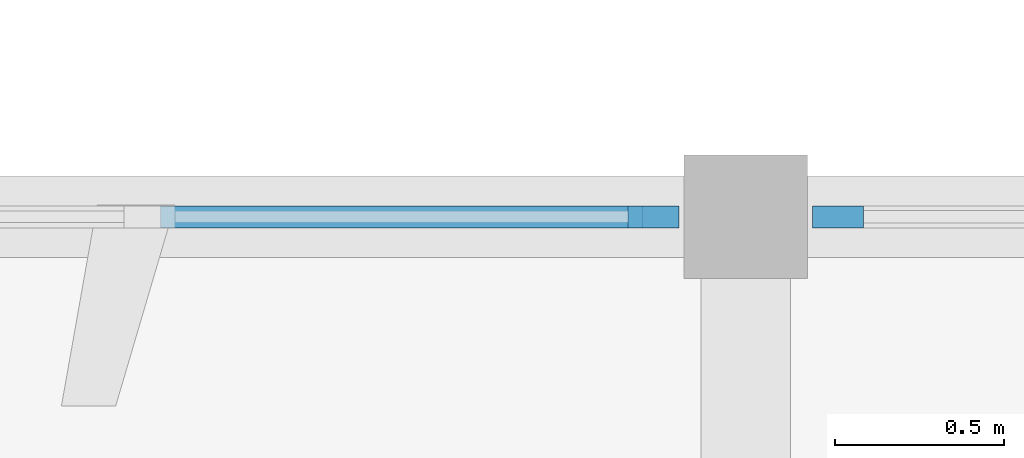
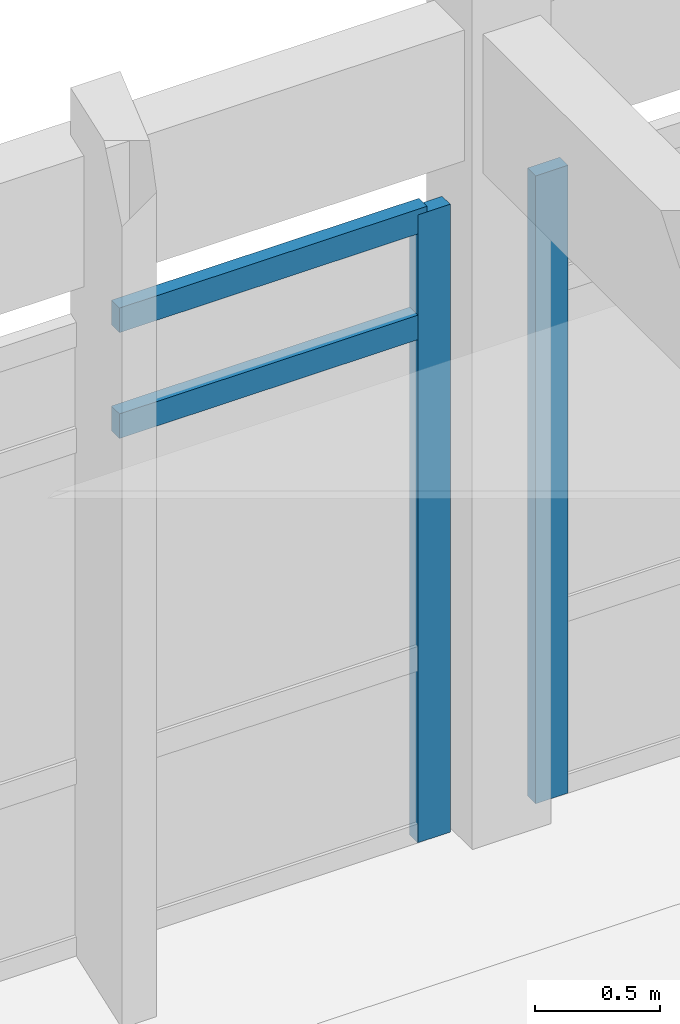
# One storey, part 6 of 18: 4 members, 2 elements without a shape of their own.
"""IFC4 building model written with IfcOpenShell, lengths in metres."""

from ifc_helpers import new_model, si_unit, direction, frame, origin, origin_2d, place, context, subcontext, project, spatial, rectangle, extrude, material, layer, layer_set, material_profile, profile_set, type_object, element, aggregate, save


model = new_model("IFC4")

# Units and contexts
model_context = context("Model", 3, precision=1e-05, world=origin(), true_north=direction((0.0, 1.0)))
body_context = subcontext(model_context, "Body", "Model", "MODEL_VIEW")
ifc_project = project(units=[si_unit("LENGTHUNIT", "METRE"), si_unit("AREAUNIT", "SQUARE_METRE"), si_unit("VOLUMEUNIT", "CUBIC_METRE"), si_unit("PLANEANGLEUNIT", "RADIAN"), si_unit("MASSUNIT", "GRAM", prefix="KILO")], contexts=[model_context])

# Site, building, storey
site_placement = place(None, origin())
site = spatial("IfcSite", under=ifc_project, at=site_placement, CompositionType="ELEMENT")
building_placement = place(site_placement, origin())
building = spatial("IfcBuilding", under=site, at=building_placement, Name="Kolvemor Railside Polytechnic", CompositionType="ELEMENT")
storey_placement = place(building_placement, frame((0.0, 0.0, 18.60009765625)))
storey = spatial("IfcBuildingStorey", under=building, at=storey_placement, Name="L04", CompositionType="ELEMENT", Elevation=18.60009765625)

# Curtain wall, member
ifc_material_1 = material(Name="Anodised marine aluminium and laminated low-E glass", Category="aluminium")
ifc_layer = layer(ifc_material_1, 0.179931640625, Name="CW-UNIT-STD")
ifc_layer_set = layer_set([ifc_layer], Name="Anodised marine aluminium and laminated low-E glass")
curtain_wall_type = type_object("IfcCurtainWallType", Name="CW-UNIT-STD", PredefinedType="USERDEFINED", material=ifc_layer_set)
curtain_wall_1_placement = place(storey_placement, origin())
curtain_wall_1 = element("IfcCurtainWall", 1, at=curtain_wall_1_placement, inside=storey, type_object=curtain_wall_type, Name="Curtain Wall L04-132", ObjectType="UNITISED CURTAIN WALL", PredefinedType="USERDEFINED")
ifc_material_2 = material(Name="Anodised marine aluminium 6063-T6", Category="aluminium")
ifc_material_profile_1 = material_profile(ifc_material_2, rectangle(XDim=0.06494140625, YDim=0.14990234375, at=origin_2d()), Name="CW-MUL-65x150")
ifc_profile_set_1 = profile_set([ifc_material_profile_1], Name="Anodised marine aluminium 6063-T6")
member_type_1 = type_object("IfcMemberType", Name="CWM-65x150", PredefinedType="MULLION", material=ifc_profile_set_1)
member_1_placement = place(storey_placement, frame((86.12744140625, 38.39990234375, 0.0), z_axis=(0.0, 0.0, 1.0), x_axis=(0.0, -1.0, 0.0)))
member_1 = element("IfcMember", 2, at=member_1_placement, type_object=member_type_1, Name="CW-STD mullion 1", PredefinedType="MULLION", context=body_context, shape_type="SweptSolid", body=[
    extrude(rectangle(XDim=0.06494140625, YDim=0.14990234375, at=origin_2d()), origin(), (0.0, 0.0, 1.0), 3.06982421875),
])

curtain_wall_2_placement = place(storey_placement, origin())
curtain_wall_2 = element("IfcCurtainWall", 3, at=curtain_wall_2_placement, inside=storey, type_object=curtain_wall_type, Name="Curtain Wall L04-133", ObjectType="UNITISED CURTAIN WALL", PredefinedType="USERDEFINED")
member_2_placement = place(storey_placement, frame((86.672607421875, 38.39990234375, 0.0), z_axis=(0.0, 0.0, 1.0), x_axis=(0.0, -1.0, 0.0)))
member_2 = element("IfcMember", 4, at=member_2_placement, type_object=member_type_1, Name="CW-STD mullion 7", PredefinedType="MULLION", context=body_context, shape_type="SweptSolid", body=[
    extrude(rectangle(XDim=0.06494140625, YDim=0.14990234375, at=origin_2d()), origin(), (0.0, 0.0, 1.0), 3.06982421875),
])
aggregate(curtain_wall_2, [member_2])

# Member
ifc_material_3 = material(Name="Anodised marine aluminium 6063-T6", Category="aluminium")
ifc_material_profile_2 = material_profile(ifc_material_3, rectangle(XDim=0.06494140625, YDim=0.1201171875, at=origin_2d()), Name="CW-TRN-65x120")
ifc_profile_set_2 = profile_set([ifc_material_profile_2], Name="Anodised marine aluminium 6063-T6")
member_type_2 = type_object("IfcMemberType", Name="CWT-65x120", PredefinedType="USERDEFINED", material=ifc_profile_set_2)
member_3_placement = place(storey_placement, frame((86.094970703125, 38.39990234375, 2.52001953125), z_axis=(-1.0, 0.0, 0.0), x_axis=(0.0, -1.0, 0.0)))
member_3 = element("IfcMember", 5, at=member_3_placement, type_object=member_type_2, Name="CW-STD transom 1.3", ObjectType="TRANSOM", PredefinedType="USERDEFINED", context=body_context, shape_type="SweptSolid", body=[
    extrude(rectangle(XDim=0.06494140625, YDim=0.1201171875, at=origin_2d()), origin(), (0.0, 0.0, 1.0), 1.42236328125),
])

member_4_placement = place(storey_placement, frame((86.094970703125, 38.39990234375, 3.037353515625), z_axis=(-1.0, 0.0, 0.0), x_axis=(0.0, -1.0, 0.0)))
member_4 = element("IfcMember", 6, at=member_4_placement, type_object=member_type_2, Name="CW-STD transom 1.4", ObjectType="TRANSOM", PredefinedType="USERDEFINED", context=body_context, shape_type="SweptSolid", body=[
    extrude(rectangle(XDim=0.06494140625, YDim=0.1201171875, at=origin_2d()), origin(), (0.0, 0.0, 1.0), 1.42236328125),
])

aggregate(curtain_wall_1, [member_1, member_3, member_4])

save(model, "model.ifc")
